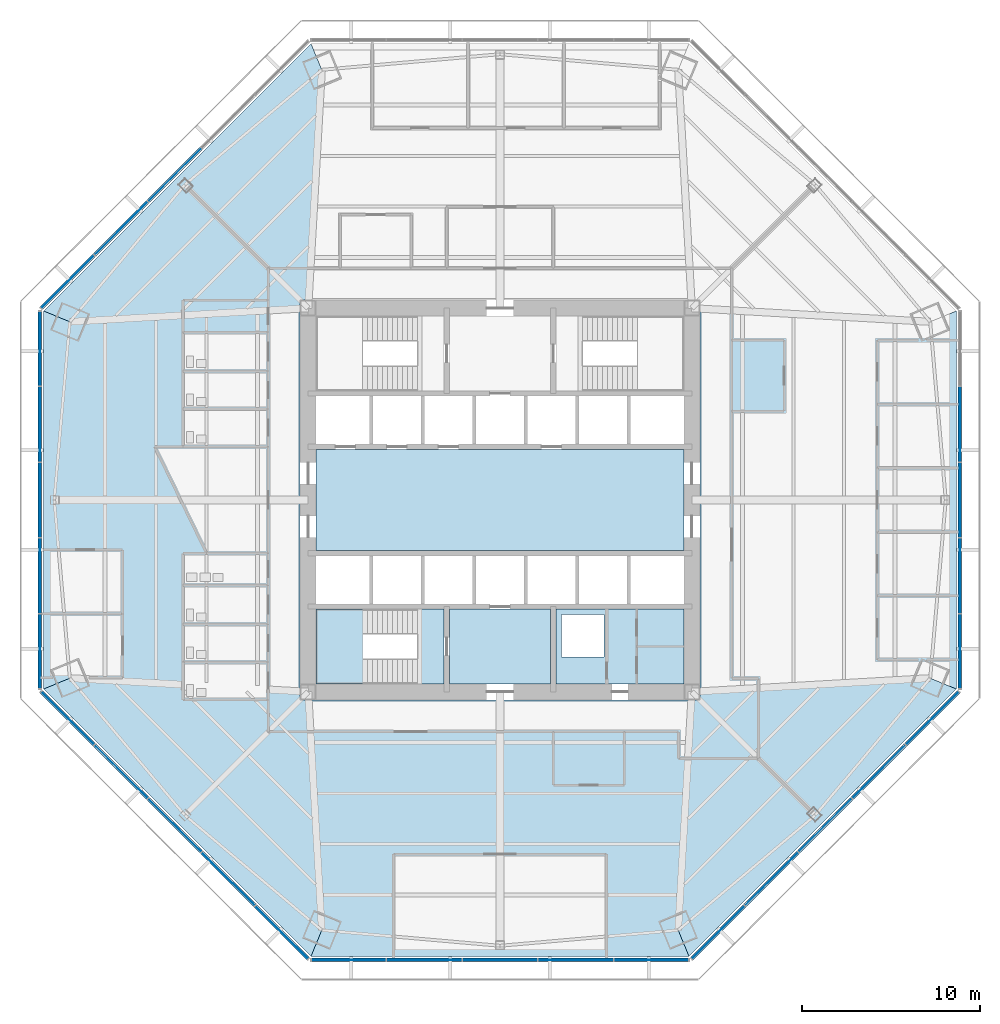
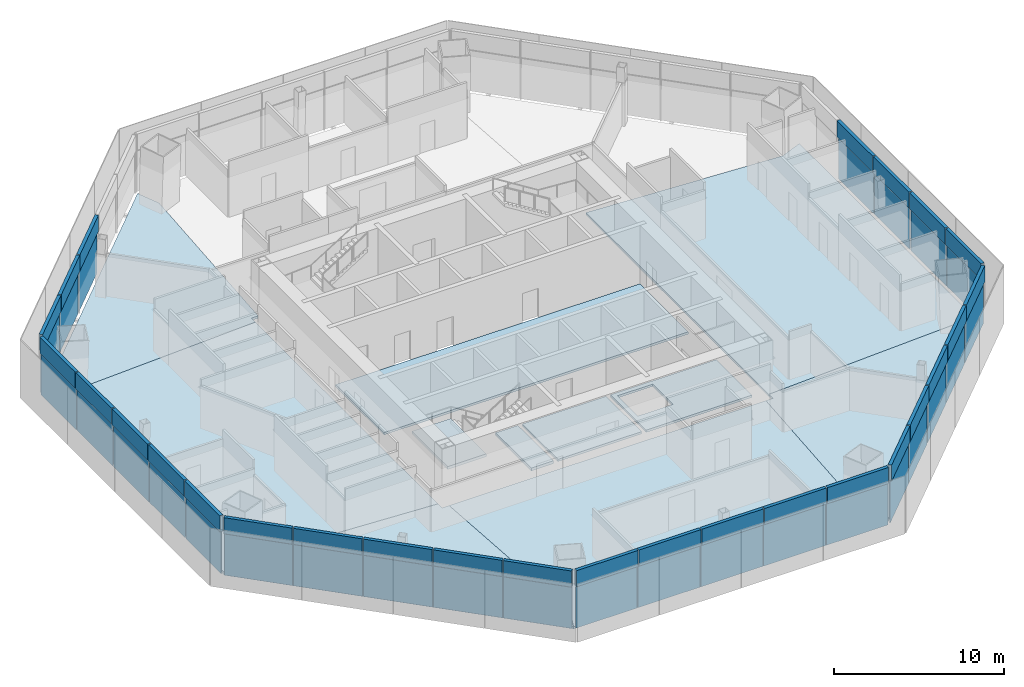
# One storey, part 7 of 15: 54 plates, 11 slabs, 7 elements without a shape of their own.
"""IFC4 building model written with IfcOpenShell, lengths in metres."""

import ifcopenshell
import ifcopenshell.guid

model = None  # the IFC model being written
_history = None  # IfcOwnerHistory: only IFC2X3 demands one
_inside = {}  # id of a spatial element -> (the spatial element, [elements in it])
_under = {}  # id of a project, library or spatial element -> (it, [spatial elements below it])
_declared = {}  # id of a project -> (the project, [libraries it declares])
_typed = {}  # id of a type object -> (the type object, [elements of that type])
_made_of = {}  # id of a material, layer set ... -> (it, [elements and type objects made of it])


def new_model(schema):
    """Start an empty IFC model of exactly this schema.

    Asked for "IFC4X3", IfcOpenShell would pick the latest addendum, in which some entities
    have other attributes; the version numbers below select the first issue.
    IFC2X3 requires an IfcOwnerHistory on every rooted entity: one is made here for all.
    """
    global model, _history
    if schema == "IFC4X3":
        model = ifcopenshell.file(schema_version=(4, 3, 0, 0))
    else:
        model = ifcopenshell.file(schema=schema)
    _inside.clear()
    _under.clear()
    _declared.clear()
    _typed.clear()
    _made_of.clear()
    _history = None
    if model.schema == "IFC2X3":
        org = make("IfcOrganization", Name="unknown")
        user = make(
            "IfcPersonAndOrganization",
            ThePerson=make("IfcPerson", FamilyName="unknown"),
            TheOrganization=org,
        )
        app = make(
            "IfcApplication",
            ApplicationDeveloper=org,
            Version="unknown",
            ApplicationFullName="unknown",
            ApplicationIdentifier="unknown",
        )
        _history = make(
            "IfcOwnerHistory",
            OwningUser=user,
            OwningApplication=app,
            ChangeAction="ADDED",
            CreationDate=0,
        )
    return model


def make(cls, **values):
    """One entity of the class cls with the attributes given. An attribute that is None is left unset."""
    return model.create_entity(
        cls, **{name: value for name, value in values.items() if value is not None}
    )


def rooted(cls, **values):
    """An entity with a GlobalId (a new one), such as an element, a storey or a relation."""
    return make(cls, GlobalId=ifcopenshell.guid.new(), OwnerHistory=_history, **values)


def si_unit(unit_type, name, prefix=None):
    """IfcSIUnit, for example si_unit("LENGTHUNIT", "METRE", prefix="MILLI")."""
    return make("IfcSIUnit", UnitType=unit_type, Prefix=prefix, Name=name)


def assignment(units):
    """IfcUnitAssignment: the units of a project."""
    return None if units is None else make("IfcUnitAssignment", Units=units)


def point(xyz):
    """IfcCartesianPoint."""
    return None if xyz is None else make("IfcCartesianPoint", Coordinates=xyz)


def direction(xyz):
    """IfcDirection."""
    return None if xyz is None else make("IfcDirection", DirectionRatios=xyz)


def frame(location, z_axis=None, x_axis=None):
    """IfcAxis2Placement3D, a coordinate frame: its origin and axes. An axis left out is left unset."""
    return make(
        "IfcAxis2Placement3D",
        Location=point(location),
        Axis=direction(z_axis),
        RefDirection=direction(x_axis),
    )


def frame_2d(location, x_axis=None):
    """IfcAxis2Placement2D, a coordinate frame in the plane: its origin and x axis."""
    return make(
        "IfcAxis2Placement2D", Location=point(location), RefDirection=direction(x_axis)
    )


def origin():
    """The frame at (0, 0, 0) with its axes left unset."""
    return frame((0.0, 0.0, 0.0))


def origin_2d():
    """The frame at (0, 0) in the plane with its x axis left unset."""
    return frame_2d((0.0, 0.0))


def place(relative_to, where):
    """IfcLocalPlacement: puts the frame where relative to a parent placement (None: the world)."""
    return make(
        "IfcLocalPlacement", PlacementRelTo=relative_to, RelativePlacement=where
    )


def context(
    kind, dimensions, precision=None, world=None, true_north=None, identifier=None
):
    """IfcGeometricRepresentationContext, for example the 3D "Model" context."""
    return make(
        "IfcGeometricRepresentationContext",
        ContextIdentifier=identifier,
        ContextType=kind,
        CoordinateSpaceDimension=dimensions,
        Precision=precision,
        WorldCoordinateSystem=world,
        TrueNorth=true_north,
    )


def subcontext(parent, identifier, kind, view, scale=None):
    """IfcGeometricRepresentationSubContext, for example "Body" below "Model"."""
    return make(
        "IfcGeometricRepresentationSubContext",
        ContextIdentifier=identifier,
        ContextType=kind,
        ParentContext=parent,
        TargetScale=scale,
        TargetView=view,
    )


def project(units=None, contexts=None):
    """IfcProject with its units and contexts."""
    return rooted(
        "IfcProject",
        Name="project",
        RepresentationContexts=contexts,
        UnitsInContext=assignment(units),
    )


def spatial(cls, under=None, at=None, **own):
    """A site, building, storey or space (cls), placed at a placement, below another one or the project."""
    s = rooted(cls, ObjectPlacement=at, **own)
    if under is not None:
        _under.setdefault(under.id(), (under, []))[1].append(s)
    return s


def polyline(points):
    """IfcPolyline through the points."""
    return make("IfcPolyline", Points=[point(p) for p in points])


def profile(cls, at=None, kind="AREA", **sizes):
    """A parametric profile (cls). Its sizes go by their IFC names, for example OverallWidth=200.0."""
    return make(cls, ProfileType=kind, Position=at, **sizes)


def rectangle(**sizes):
    """IfcRectangleProfileDef."""
    return profile("IfcRectangleProfileDef", **sizes)


def outline(outer, holes=None, kind="AREA"):
    """IfcArbitraryClosedProfileDef: a profile drawn as a closed curve; with holes, ...WithVoids."""
    if holes is None:
        return make("IfcArbitraryClosedProfileDef", ProfileType=kind, OuterCurve=outer)
    return make(
        "IfcArbitraryProfileDefWithVoids",
        ProfileType=kind,
        OuterCurve=outer,
        InnerCurves=holes,
    )


def extrude(swept, where, along, depth):
    """IfcExtrudedAreaSolid: the profile swept, set in the frame where, extruded along a direction by depth."""
    return make(
        "IfcExtrudedAreaSolid",
        SweptArea=swept,
        Position=where,
        ExtrudedDirection=direction(along),
        Depth=depth,
    )


def shape(context_of_items, identifier, shape_type, items):
    """IfcShapeRepresentation: the items that make up one representation, for example the "Body"."""
    return make(
        "IfcShapeRepresentation",
        ContextOfItems=context_of_items,
        RepresentationIdentifier=identifier,
        RepresentationType=shape_type,
        Items=items,
    )


def source(mapping_origin, context_of_items, identifier, shape_type, items):
    """IfcRepresentationMap: a shape defined once, which mapped items show again and again."""
    return make(
        "IfcRepresentationMap",
        MappingOrigin=mapping_origin,
        MappedRepresentation=shape(context_of_items, identifier, shape_type, items),
    )


def transform(
    local_origin,
    x_axis=None,
    y_axis=None,
    z_axis=None,
    scale=None,
    scale2=None,
    scale3=None,
    uniform=True,
):
    """IfcCartesianTransformationOperator3D, or its non-uniform kind. x_axis, y_axis, z_axis: its Axis1, 2, 3."""
    if uniform:
        return make(
            "IfcCartesianTransformationOperator3D",
            Axis1=direction(x_axis),
            Axis2=direction(y_axis),
            LocalOrigin=point(local_origin),
            Scale=scale,
            Axis3=direction(z_axis),
        )
    return make(
        "IfcCartesianTransformationOperator3DnonUniform",
        Axis1=direction(x_axis),
        Axis2=direction(y_axis),
        LocalOrigin=point(local_origin),
        Scale=scale,
        Axis3=direction(z_axis),
        Scale2=scale2,
        Scale3=scale3,
    )


def mapped(mapping_source, mapping_target):
    """IfcMappedItem: shows the shape of a source again, moved by a transform."""
    return make(
        "IfcMappedItem", MappingSource=mapping_source, MappingTarget=mapping_target
    )


def material(Name=None, Category=None):
    """IfcMaterial."""
    return make("IfcMaterial", Name=Name, Category=Category)


def layer(
    of_material, thickness, ventilated=None, Name=None, Category=None, Priority=None
):
    """IfcMaterialLayer: one layer of a wall or slab, of a material (None: an air gap)."""
    return make(
        "IfcMaterialLayer",
        Material=of_material,
        LayerThickness=thickness,
        IsVentilated=ventilated,
        Name=Name,
        Category=Category,
        Priority=Priority,
    )


def layer_set(layers, Name=None):
    """IfcMaterialLayerSet."""
    return make("IfcMaterialLayerSet", MaterialLayers=layers, LayerSetName=Name)


def made_of(thing, what):
    """Note that an element or type object is made of a material, layer set ...; save() writes the relation."""
    if what is not None:
        _made_of.setdefault(what.id(), (what, []))[1].append(thing)
    return thing


def type_object(cls, material=None, **own):
    """A type object (cls), such as IfcWallType, which elements share."""
    return made_of(rooted(cls, **own), material)


def type_shapes(of_type, sources):
    """Give a type object the sources (RepresentationMaps) that its elements show as mapped items."""
    of_type.RepresentationMaps = sources


def element(
    cls,
    number,
    at=None,
    inside=None,
    cuts=None,
    type_object=None,
    material=None,
    context=None,
    identifier="Body",
    shape_type=None,
    held_by="IfcProductDefinitionShape",
    body=None,
    shapes=None,
    **own,
):
    """One element of the class cls, such as IfcWall. Its Tag is "e" and its number.

    at: its placement. inside: the storey or other place that contains it. cuts: it is an
    opening in that element (IfcRelVoidsElement). A single representation is given by context,
    identifier, shape_type and body (its items); several are given by shapes. held_by: the class
    of the entity that holds the representations. save() writes the other relations.
    """
    e = rooted(cls, Tag="e%d" % number, ObjectPlacement=at, **own)
    if body is not None:
        shapes = [shape(context, identifier, shape_type, body)]
    if shapes is not None:
        e.Representation = make(held_by, Representations=shapes)
    if inside is not None:
        _inside.setdefault(inside.id(), (inside, []))[1].append(e)
    if cuts is not None:
        rooted(
            "IfcRelVoidsElement", RelatingBuildingElement=cuts, RelatedOpeningElement=e
        )
    if type_object is not None:
        _typed.setdefault(type_object.id(), (type_object, []))[1].append(e)
    return made_of(e, material)


def aggregate(whole, parts):
    """IfcRelAggregates: a whole, such as a stair, and the parts it consists of."""
    return rooted("IfcRelAggregates", RelatingObject=whole, RelatedObjects=parts)


def save(model, path):
    """Write the relations noted so far, then the file.

    IfcRelAggregates (storeys below a building ...), IfcRelContainedInSpatialStructure (elements
    in a storey), IfcRelDefinesByType, IfcRelAssociatesMaterial and IfcRelDeclares: one each for
    every whole, place, type object, material and project.
    """
    for whole, parts in _under.values():
        aggregate(whole, parts)
    for where, things in _inside.values():
        rooted(
            "IfcRelContainedInSpatialStructure",
            RelatedElements=things,
            RelatingStructure=where,
        )
    for kind, things in _typed.values():
        rooted("IfcRelDefinesByType", RelatedObjects=things, RelatingType=kind)
    for what, things in _made_of.values():
        rooted("IfcRelAssociatesMaterial", RelatedObjects=things, RelatingMaterial=what)
    for by, libraries in _declared.values():
        rooted("IfcRelDeclares", RelatingContext=by, RelatedDefinitions=libraries)
    model.write(path)


model = new_model("IFC4")

# Units and contexts
model_context = context("Model", 3, precision=1e-05, world=origin(), true_north=direction((0.0, 1.0)))
body_context = subcontext(model_context, "Body", "Model", "MODEL_VIEW")
ifc_project = project(units=[si_unit("LENGTHUNIT", "METRE"), si_unit("AREAUNIT", "SQUARE_METRE"), si_unit("VOLUMEUNIT", "CUBIC_METRE"), si_unit("PLANEANGLEUNIT", "RADIAN"), si_unit("MASSUNIT", "GRAM", prefix="KILO")], contexts=[model_context])

# Site, building, storey
site_placement = place(None, origin())
site = spatial("IfcSite", under=ifc_project, at=site_placement, CompositionType="ELEMENT")
building_placement = place(site_placement, origin())
building = spatial("IfcBuilding", under=site, at=building_placement, Name="Mashrafa Tower", CompositionType="ELEMENT")
storey_placement = place(building_placement, frame((0.0, 0.0, 75.0)))
storey = spatial("IfcBuildingStorey", under=building, at=storey_placement, Name="L16", CompositionType="ELEMENT", Elevation=75.0)

# Slabs
ifc_material_1 = material(Name="Concrete C35/45", Category="concrete")
ifc_layer_1 = layer(ifc_material_1, 0.1650390625)
ifc_layer_set_1 = layer_set([ifc_layer_1], Name="Floor slab 165")
slab_type_1 = type_object("IfcSlabType", Name="Floor slab 165", PredefinedType="FLOOR", material=ifc_layer_set_1)
slab_1_placement = place(storey_placement, frame((0.0, 0.0, -0.1650390625)))
element("IfcSlab", 1, at=slab_1_placement, inside=storey, type_object=slab_type_1, Name="Floor slab L16 east bay", PredefinedType="FLOOR", context=body_context, shape_type="SweptSolid", body=[
    extrude(outline(polyline([(25.693115234375, 10.642333984375), (25.693115234375, -10.642333984375), (25.693115234375, -10.642578125), (24.219482421875, -10.031982421875), (11.25, -10.774169921875), (11.25, 10.774169921875), (24.219482421875, 10.031982421875), (25.693115234375, 10.642578125), (25.693115234375, 10.642333984375)])), origin(), (0.0, 0.0, 1.0), 0.1650390625),
])
slab_2_placement = place(storey_placement, frame((0.0, 0.0, -0.1650390625)))
element("IfcSlab", 2, at=slab_2_placement, inside=storey, type_object=slab_type_1, Name="Floor slab L16 north-west bay", PredefinedType="FLOOR", context=body_context, shape_type="SweptSolid", body=[
    extrude(outline(polyline([(-10.642578125, 25.693115234375), (-10.031982421875, 24.219482421875), (-10.774169921875, 11.25), (-11.25, 11.25), (-11.25, 10.774169921875), (-24.219482421875, 10.031982421875), (-25.693115234375, 10.642578125), (-10.642578125, 25.693115234375)])), origin(), (0.0, 0.0, 1.0), 0.1650390625),
])
slab_3_placement = place(storey_placement, frame((0.0, 0.0, -0.1650390625)))
element("IfcSlab", 3, at=slab_3_placement, inside=storey, type_object=slab_type_1, Name="Floor slab L16 west bay", PredefinedType="FLOOR", context=body_context, shape_type="SweptSolid", body=[
    extrude(outline(polyline([(-25.693115234375, -10.642333984375), (-25.693115234375, 10.642333984375), (-25.693115234375, 10.642578125), (-24.219482421875, 10.031982421875), (-11.25, 10.774169921875), (-11.25, -10.774169921875), (-24.219482421875, -10.031982421875), (-25.693115234375, -10.642578125), (-25.693115234375, -10.642333984375)])), origin(), (0.0, 0.0, 1.0), 0.1650390625),
])
slab_4_placement = place(storey_placement, frame((0.0, 0.0, -0.1650390625)))
element("IfcSlab", 4, at=slab_4_placement, inside=storey, type_object=slab_type_1, Name="Floor slab L16 south-west bay", PredefinedType="FLOOR", context=body_context, shape_type="SweptSolid", body=[
    extrude(outline(polyline([(-25.693115234375, -10.642578125), (-24.219482421875, -10.031982421875), (-11.25, -10.774169921875), (-11.25, -11.25), (-10.774169921875, -11.25), (-10.031982421875, -24.219482421875), (-10.642578125, -25.693115234375), (-25.693115234375, -10.642578125)])), origin(), (0.0, 0.0, 1.0), 0.1650390625),
])
slab_5_placement = place(storey_placement, frame((0.0, 0.0, -0.1650390625)))
element("IfcSlab", 5, at=slab_5_placement, inside=storey, type_object=slab_type_1, Name="Floor slab L16 south bay", PredefinedType="FLOOR", context=body_context, shape_type="SweptSolid", body=[
    extrude(outline(polyline([(-10.642333984375, -25.693115234375), (-10.642578125, -25.693115234375), (-10.031982421875, -24.219482421875), (-10.774169921875, -11.25), (10.774169921875, -11.25), (10.031982421875, -24.219482421875), (10.642578125, -25.693115234375), (10.642333984375, -25.693115234375), (-10.642333984375, -25.693115234375)])), origin(), (0.0, 0.0, 1.0), 0.1650390625),
])
slab_6_placement = place(storey_placement, frame((0.0, 0.0, -0.1650390625)))
element("IfcSlab", 6, at=slab_6_placement, inside=storey, type_object=slab_type_1, Name="Floor slab L16 south-east bay", PredefinedType="FLOOR", context=body_context, shape_type="SweptSolid", body=[
    extrude(outline(polyline([(10.642578125, -25.693115234375), (10.031982421875, -24.219482421875), (10.774169921875, -11.25), (11.25, -11.25), (11.25, -10.774169921875), (24.219482421875, -10.031982421875), (25.693115234375, -10.642578125), (10.642578125, -25.693115234375)])), origin(), (0.0, 0.0, 1.0), 0.1650390625),
])
slab_7_placement = place(storey_placement, frame((0.0, 0.0, -0.1650390625)))
element("IfcSlab", 7, at=slab_7_placement, inside=storey, type_object=slab_type_1, Name="Core floor lift hall L16", PredefinedType="FLOOR", context=body_context, shape_type="SweptSolid", body=[
    extrude(outline(polyline([(-10.35009765625, 2.85009765625), (10.35009765625, 2.85009765625), (10.35009765625, -2.85009765625), (-10.35009765625, -2.85009765625), (-10.35009765625, 2.85009765625)])), origin(), (0.0, 0.0, 1.0), 0.1650390625),
])
slab_8_placement = place(storey_placement, frame((0.0, 0.0, -0.1650390625)))
element("IfcSlab", 8, at=slab_8_placement, inside=storey, type_object=slab_type_1, Name="Core floor riser and electrical band L16", PredefinedType="FLOOR", context=body_context, shape_type="SweptSolid", body=[
    extrude(outline(polyline([(10.35009765625, -6.14990234375), (10.35009765625, -10.35009765625), (3.14990234375, -10.35009765625), (3.14990234375, -6.14990234375), (10.35009765625, -6.14990234375)]), holes=[polyline([(3.449951171875, -8.85009765625), (5.85009765625, -8.85009765625), (5.85009765625, -6.449951171875), (3.449951171875, -6.449951171875), (3.449951171875, -8.85009765625)])]), origin(), (0.0, 0.0, 1.0), 0.1650390625),
])
slab_9_placement = place(storey_placement, frame((0.0, 0.0, -0.1650390625)))
element("IfcSlab", 9, at=slab_9_placement, inside=storey, type_object=slab_type_1, Name="Core floor fire-fighting lobby south L16", PredefinedType="FLOOR", context=body_context, shape_type="SweptSolid", body=[
    extrude(outline(polyline([(2.85009765625, -6.14990234375), (2.85009765625, -10.35009765625), (-2.85009765625, -10.35009765625), (-2.85009765625, -6.14990234375), (2.85009765625, -6.14990234375)])), origin(), (0.0, 0.0, 1.0), 0.1650390625),
])

# Stair, slabs
ifc_material_2 = material(Name="Exit stair 1400")
stair_type = type_object("IfcStairType", Name="Exit stair 1400", PredefinedType="HALF_TURN_STAIR", material=ifc_material_2)
stair_placement = place(storey_placement, origin())
stair = element("IfcStair", 10, at=stair_placement, inside=storey, type_object=stair_type, Name="Stair S3 L16", PredefinedType="HALF_TURN_STAIR")
ifc_material_3 = material(Name="Concrete C32/40", Category="concrete")
ifc_layer_2 = layer(ifc_material_3, 0.199951171875)
ifc_layer_set_2 = layer_set([ifc_layer_2], Name="Stair landing 200")
slab_type_2 = type_object("IfcSlabType", Name="Stair landing 200", PredefinedType="LANDING", material=ifc_layer_set_2)
slab_10_placement = place(storey_placement, frame((0.0, 0.0, -0.199951171875)))
slab_10 = element("IfcSlab", 11, at=slab_10_placement, type_object=slab_type_2, Name="S3 landing 1", PredefinedType="LANDING", context=body_context, shape_type="SweptSolid", body=[
    extrude(outline(polyline([(-4.659912109375, -10.35009765625), (-3.14990234375, -10.35009765625), (-3.14990234375, -6.14990234375), (-4.659912109375, -6.14990234375), (-4.659912109375, -10.35009765625)])), origin(), (0.0, 0.0, 1.0), 0.199951171875),
])
slab_11_placement = place(storey_placement, frame((0.0, 0.0, 1.89990234375)))
slab_11 = element("IfcSlab", 12, at=slab_11_placement, type_object=slab_type_2, Name="S3 landing 2", PredefinedType="LANDING", context=body_context, shape_type="SweptSolid", body=[
    extrude(outline(polyline([(-10.35009765625, -10.35009765625), (-7.719970703125, -10.35009765625), (-7.719970703125, -6.14990234375), (-10.35009765625, -6.14990234375), (-10.35009765625, -10.35009765625)])), origin(), (0.0, 0.0, 1.0), 0.2001953125),
])
aggregate(stair, [slab_10, slab_11])

# Curtain wall, plate
ifc_material_4 = material(Name="Unitised aluminium curtain wall", Category="aluminium")
curtain_wall_type = type_object("IfcCurtainWallType", Name="Office curtain wall, zone 1 CW-A 200 deep", PredefinedType="NOTDEFINED", material=ifc_material_4)
curtain_wall_1_placement = place(storey_placement, origin())
curtain_wall_1 = element("IfcCurtainWall", 13, at=curtain_wall_1_placement, inside=storey, type_object=curtain_wall_type, Name="Office curtain wall, zone 1 L16 east", PredefinedType="NOTDEFINED")
ifc_material_5 = material(Name="Insulated double glazing, low-e, neutral", Category="glass")
ifc_layer_3 = layer(ifc_material_5, 0.028076171875)
ifc_layer_set_3 = layer_set([ifc_layer_3], Name="Vision panel CW-A 28")
plate_type_1 = type_object("IfcPlateType", Name="Vision panel CW-A 28", PredefinedType="CURTAIN_PANEL", material=ifc_layer_set_3)
shared_shape_1 = source(origin(), body_context, "Body", "SweptSolid", [
    extrude(rectangle(XDim=4.172119140625, YDim=0.028076171875, at=origin_2d()), origin(), (0.0, 0.0, 1.0), 2.9599609375),
])
plate_1_placement = place(storey_placement, frame((25.89306640625, -8.522705078125, 0.0), z_axis=(0.0, 0.0, 1.0), x_axis=(0.0, 1.0, 0.0)))
plate_1 = element("IfcPlate", 14, at=plate_1_placement, type_object=plate_type_1, Name="CW-A vision panel 1", PredefinedType="CURTAIN_PANEL", context=body_context, shape_type="MappedRepresentation", body=[
    mapped(shared_shape_1, transform((0.0, 0.0, 0.0))),
])

curtain_wall_2_placement = place(storey_placement, origin())
curtain_wall_2 = element("IfcCurtainWall", 15, at=curtain_wall_2_placement, inside=storey, type_object=curtain_wall_type, Name="Office curtain wall, zone 1 L16 north-west", PredefinedType="NOTDEFINED")
plate_2_placement = place(storey_placement, frame((-24.335693359375, 12.28271484375, 0.0), z_axis=(0.0, 0.0, 1.0), x_axis=(-0.707106781187, -0.707106781187, 0.0)))
plate_2 = element("IfcPlate", 16, at=plate_2_placement, type_object=plate_type_1, Name="CW-A vision panel 5", PredefinedType="CURTAIN_PANEL", context=body_context, shape_type="MappedRepresentation", body=[
    mapped(shared_shape_1, transform((0.0, 0.0, 0.0))),
])

# Curtain wall, plates
curtain_wall_3_placement = place(storey_placement, origin())
curtain_wall_3 = element("IfcCurtainWall", 17, at=curtain_wall_3_placement, inside=storey, type_object=curtain_wall_type, Name="Office curtain wall, zone 1 L16 west", PredefinedType="NOTDEFINED")
plate_3_placement = place(storey_placement, frame((-25.89306640625, 8.522705078125, 0.0), z_axis=(0.0, 0.0, 1.0), x_axis=(0.0, -1.0, 0.0)))
plate_3 = element("IfcPlate", 18, at=plate_3_placement, type_object=plate_type_1, Name="CW-A vision panel 1", PredefinedType="CURTAIN_PANEL", context=body_context, shape_type="MappedRepresentation", body=[
    mapped(shared_shape_1, transform((0.0, 0.0, 0.0))),
])
plate_4_placement = place(storey_placement, frame((-25.89306640625, -8.522705078125, 0.0), z_axis=(0.0, 0.0, 1.0), x_axis=(0.0, -1.0, 0.0)))
plate_4 = element("IfcPlate", 19, at=plate_4_placement, type_object=plate_type_1, Name="CW-A vision panel 5", PredefinedType="CURTAIN_PANEL", context=body_context, shape_type="MappedRepresentation", body=[
    mapped(shared_shape_1, transform((0.0, 0.0, 0.0))),
])

curtain_wall_4_placement = place(storey_placement, origin())
curtain_wall_4 = element("IfcCurtainWall", 20, at=curtain_wall_4_placement, inside=storey, type_object=curtain_wall_type, Name="Office curtain wall, zone 1 L16 south-west", PredefinedType="NOTDEFINED")
plate_5_placement = place(storey_placement, frame((-24.335693359375, -12.28271484375, 0.0), z_axis=(0.0, 0.0, 1.0), x_axis=(0.707106781187, -0.707106781187, 0.0)))
plate_5 = element("IfcPlate", 21, at=plate_5_placement, type_object=plate_type_1, Name="CW-A vision panel 1", PredefinedType="CURTAIN_PANEL", context=body_context, shape_type="MappedRepresentation", body=[
    mapped(shared_shape_1, transform((0.0, 0.0, 0.0))),
])
plate_6_placement = place(storey_placement, frame((-12.28271484375, -24.335693359375, 0.0), z_axis=(0.0, 0.0, 1.0), x_axis=(0.707106781187, -0.707106781187, 0.0)))
plate_6 = element("IfcPlate", 22, at=plate_6_placement, type_object=plate_type_1, Name="CW-A vision panel 5", PredefinedType="CURTAIN_PANEL", context=body_context, shape_type="MappedRepresentation", body=[
    mapped(shared_shape_1, transform((0.0, 0.0, 0.0))),
])

curtain_wall_5_placement = place(storey_placement, origin())
curtain_wall_5 = element("IfcCurtainWall", 23, at=curtain_wall_5_placement, inside=storey, type_object=curtain_wall_type, Name="Office curtain wall, zone 1 L16 south", PredefinedType="NOTDEFINED")
plate_7_placement = place(storey_placement, frame((-8.522705078125, -25.89306640625, 0.0), z_axis=(0.0, 0.0, 1.0), x_axis=(1.0, 0.0, 0.0)))
plate_7 = element("IfcPlate", 24, at=plate_7_placement, type_object=plate_type_1, Name="CW-A vision panel 1", PredefinedType="CURTAIN_PANEL", context=body_context, shape_type="MappedRepresentation", body=[
    mapped(shared_shape_1, transform((0.0, 0.0, 0.0))),
])
plate_8_placement = place(storey_placement, frame((8.522705078125, -25.89306640625, 0.0), z_axis=(0.0, 0.0, 1.0), x_axis=(1.0, 0.0, 0.0)))
plate_8 = element("IfcPlate", 25, at=plate_8_placement, type_object=plate_type_1, Name="CW-A vision panel 5", PredefinedType="CURTAIN_PANEL", context=body_context, shape_type="MappedRepresentation", body=[
    mapped(shared_shape_1, transform((0.0, 0.0, 0.0))),
])

curtain_wall_6_placement = place(storey_placement, origin())
curtain_wall_6 = element("IfcCurtainWall", 26, at=curtain_wall_6_placement, inside=storey, type_object=curtain_wall_type, Name="Office curtain wall, zone 1 L16 south-east", PredefinedType="NOTDEFINED")
plate_9_placement = place(storey_placement, frame((12.28271484375, -24.335693359375, 0.0), z_axis=(0.0, 0.0, 1.0), x_axis=(0.707106781187, 0.707106781187, 0.0)))
plate_9 = element("IfcPlate", 27, at=plate_9_placement, type_object=plate_type_1, Name="CW-A vision panel 1", PredefinedType="CURTAIN_PANEL", context=body_context, shape_type="MappedRepresentation", body=[
    mapped(shared_shape_1, transform((0.0, 0.0, 0.0))),
])
plate_10_placement = place(storey_placement, frame((24.335693359375, -12.28271484375, 0.0), z_axis=(0.0, 0.0, 1.0), x_axis=(0.707106781187, 0.707106781187, 0.0)))
plate_10 = element("IfcPlate", 28, at=plate_10_placement, type_object=plate_type_1, Name="CW-A vision panel 5", PredefinedType="CURTAIN_PANEL", context=body_context, shape_type="MappedRepresentation", body=[
    mapped(shared_shape_1, transform((0.0, 0.0, 0.0))),
])

# Plate
ifc_material_6 = material(Name="Insulated aluminium spandrel panel", Category="aluminium")
ifc_layer_4 = layer(ifc_material_6, 0.219970703125)
ifc_layer_set_4 = layer_set([ifc_layer_4], Name="Spandrel panel CW-A 220")
plate_type_2 = type_object("IfcPlateType", Name="Spandrel panel CW-A 220", PredefinedType="CURTAIN_PANEL", material=ifc_layer_set_4)
shared_shape_2 = source(origin(), body_context, "Body", "SweptSolid", [
    extrude(rectangle(XDim=4.172119140625, YDim=0.219970703125, at=origin_2d()), origin(), (0.0, 0.0, 1.0), 1.159912109375),
])
plate_11_placement = place(storey_placement, frame((25.89306640625, -8.522705078125, 3.0400390625), z_axis=(0.0, 0.0, 1.0), x_axis=(0.0, 1.0, 0.0)))
plate_11 = element("IfcPlate", 29, at=plate_11_placement, type_object=plate_type_2, Name="CW-A spandrel panel 1", PredefinedType="CURTAIN_PANEL", context=body_context, shape_type="MappedRepresentation", body=[
    mapped(shared_shape_2, transform((0.0, 0.0, 0.0))),
])

plate_12_placement = place(storey_placement, frame((-24.335693359375, 12.28271484375, 3.0400390625), z_axis=(0.0, 0.0, 1.0), x_axis=(-0.707106781187, -0.707106781187, 0.0)))
plate_12 = element("IfcPlate", 30, at=plate_12_placement, type_object=plate_type_2, Name="CW-A spandrel panel 5", PredefinedType="CURTAIN_PANEL", context=body_context, shape_type="MappedRepresentation", body=[
    mapped(shared_shape_2, transform((0.0, 0.0, 0.0))),
])

plate_13_placement = place(storey_placement, frame((-25.89306640625, 8.522705078125, 3.0400390625), z_axis=(0.0, 0.0, 1.0), x_axis=(0.0, -1.0, 0.0)))
plate_13 = element("IfcPlate", 31, at=plate_13_placement, type_object=plate_type_2, Name="CW-A spandrel panel 1", PredefinedType="CURTAIN_PANEL", context=body_context, shape_type="MappedRepresentation", body=[
    mapped(shared_shape_2, transform((0.0, 0.0, 0.0))),
])

plate_14_placement = place(storey_placement, frame((-25.89306640625, -8.522705078125, 3.0400390625), z_axis=(0.0, 0.0, 1.0), x_axis=(0.0, -1.0, 0.0)))
plate_14 = element("IfcPlate", 32, at=plate_14_placement, type_object=plate_type_2, Name="CW-A spandrel panel 5", PredefinedType="CURTAIN_PANEL", context=body_context, shape_type="MappedRepresentation", body=[
    mapped(shared_shape_2, transform((0.0, 0.0, 0.0))),
])

plate_15_placement = place(storey_placement, frame((-24.335693359375, -12.28271484375, 3.0400390625), z_axis=(0.0, 0.0, 1.0), x_axis=(0.707106781187, -0.707106781187, 0.0)))
plate_15 = element("IfcPlate", 33, at=plate_15_placement, type_object=plate_type_2, Name="CW-A spandrel panel 1", PredefinedType="CURTAIN_PANEL", context=body_context, shape_type="MappedRepresentation", body=[
    mapped(shared_shape_2, transform((0.0, 0.0, 0.0))),
])

plate_16_placement = place(storey_placement, frame((-12.28271484375, -24.335693359375, 3.0400390625), z_axis=(0.0, 0.0, 1.0), x_axis=(0.707106781187, -0.707106781187, 0.0)))
plate_16 = element("IfcPlate", 34, at=plate_16_placement, type_object=plate_type_2, Name="CW-A spandrel panel 5", PredefinedType="CURTAIN_PANEL", context=body_context, shape_type="MappedRepresentation", body=[
    mapped(shared_shape_2, transform((0.0, 0.0, 0.0))),
])

plate_17_placement = place(storey_placement, frame((-8.522705078125, -25.89306640625, 3.0400390625), z_axis=(0.0, 0.0, 1.0), x_axis=(1.0, 0.0, 0.0)))
plate_17 = element("IfcPlate", 35, at=plate_17_placement, type_object=plate_type_2, Name="CW-A spandrel panel 1", PredefinedType="CURTAIN_PANEL", context=body_context, shape_type="MappedRepresentation", body=[
    mapped(shared_shape_2, transform((0.0, 0.0, 0.0))),
])

plate_18_placement = place(storey_placement, frame((8.522705078125, -25.89306640625, 3.0400390625), z_axis=(0.0, 0.0, 1.0), x_axis=(1.0, 0.0, 0.0)))
plate_18 = element("IfcPlate", 36, at=plate_18_placement, type_object=plate_type_2, Name="CW-A spandrel panel 5", PredefinedType="CURTAIN_PANEL", context=body_context, shape_type="MappedRepresentation", body=[
    mapped(shared_shape_2, transform((0.0, 0.0, 0.0))),
])

plate_19_placement = place(storey_placement, frame((12.28271484375, -24.335693359375, 3.0400390625), z_axis=(0.0, 0.0, 1.0), x_axis=(0.707106781187, 0.707106781187, 0.0)))
plate_19 = element("IfcPlate", 37, at=plate_19_placement, type_object=plate_type_2, Name="CW-A spandrel panel 1", PredefinedType="CURTAIN_PANEL", context=body_context, shape_type="MappedRepresentation", body=[
    mapped(shared_shape_2, transform((0.0, 0.0, 0.0))),
])

plate_20_placement = place(storey_placement, frame((24.335693359375, -12.28271484375, 3.0400390625), z_axis=(0.0, 0.0, 1.0), x_axis=(0.707106781187, 0.707106781187, 0.0)))
plate_20 = element("IfcPlate", 38, at=plate_20_placement, type_object=plate_type_2, Name="CW-A spandrel panel 5", PredefinedType="CURTAIN_PANEL", context=body_context, shape_type="MappedRepresentation", body=[
    mapped(shared_shape_2, transform((0.0, 0.0, 0.0))),
])

shared_shape_3 = source(origin(), body_context, "Body", "SweptSolid", [
    extrude(rectangle(XDim=4.20458984375, YDim=0.028076171875, at=origin_2d()), origin(), (0.0, 0.0, 1.0), 2.9599609375),
])
type_shapes(plate_type_1, [shared_shape_1, shared_shape_3])
plate_21_placement = place(storey_placement, frame((25.89306640625, -4.26953125, 0.0), z_axis=(0.0, 0.0, 1.0), x_axis=(0.0, 1.0, 0.0)))
plate_21 = element("IfcPlate", 39, at=plate_21_placement, type_object=plate_type_1, Name="CW-A vision panel 2", PredefinedType="CURTAIN_PANEL", context=body_context, shape_type="MappedRepresentation", body=[
    mapped(shared_shape_3, transform((0.0, 0.0, 0.0))),
])

plate_22_placement = place(storey_placement, frame((25.89306640625, 0.0, 0.0), z_axis=(0.0, 0.0, 1.0), x_axis=(0.0, 1.0, 0.0)))
plate_22 = element("IfcPlate", 40, at=plate_22_placement, type_object=plate_type_1, Name="CW-A vision panel 3", PredefinedType="CURTAIN_PANEL", context=body_context, shape_type="MappedRepresentation", body=[
    mapped(shared_shape_3, transform((0.0, 0.0, 0.0))),
])

plate_23_placement = place(storey_placement, frame((25.89306640625, 4.26953125, 0.0), z_axis=(0.0, 0.0, 1.0), x_axis=(0.0, 1.0, 0.0)))
plate_23 = element("IfcPlate", 41, at=plate_23_placement, type_object=plate_type_1, Name="CW-A vision panel 4", PredefinedType="CURTAIN_PANEL", context=body_context, shape_type="MappedRepresentation", body=[
    mapped(shared_shape_3, transform((0.0, 0.0, 0.0))),
])

plate_24_placement = place(storey_placement, frame((-18.30908203125, 18.30908203125, 0.0), z_axis=(0.0, 0.0, 1.0), x_axis=(-0.707106781187, -0.707106781187, 0.0)))
plate_24 = element("IfcPlate", 42, at=plate_24_placement, type_object=plate_type_1, Name="CW-A vision panel 3", PredefinedType="CURTAIN_PANEL", context=body_context, shape_type="MappedRepresentation", body=[
    mapped(shared_shape_3, transform((0.0, 0.0, 0.0))),
])

plate_25_placement = place(storey_placement, frame((-21.328125, 15.2900390625, 0.0), z_axis=(0.0, 0.0, 1.0), x_axis=(-0.707106781187, -0.707106781187, 0.0)))
plate_25 = element("IfcPlate", 43, at=plate_25_placement, type_object=plate_type_1, Name="CW-A vision panel 4", PredefinedType="CURTAIN_PANEL", context=body_context, shape_type="MappedRepresentation", body=[
    mapped(shared_shape_3, transform((0.0, 0.0, 0.0))),
])

plate_26_placement = place(storey_placement, frame((-25.89306640625, 4.26953125, 0.0), z_axis=(0.0, 0.0, 1.0), x_axis=(0.0, -1.0, 0.0)))
plate_26 = element("IfcPlate", 44, at=plate_26_placement, type_object=plate_type_1, Name="CW-A vision panel 2", PredefinedType="CURTAIN_PANEL", context=body_context, shape_type="MappedRepresentation", body=[
    mapped(shared_shape_3, transform((0.0, 0.0, 0.0))),
])

plate_27_placement = place(storey_placement, frame((-25.89306640625, 0.0, 0.0), z_axis=(0.0, 0.0, 1.0), x_axis=(0.0, -1.0, 0.0)))
plate_27 = element("IfcPlate", 45, at=plate_27_placement, type_object=plate_type_1, Name="CW-A vision panel 3", PredefinedType="CURTAIN_PANEL", context=body_context, shape_type="MappedRepresentation", body=[
    mapped(shared_shape_3, transform((0.0, 0.0, 0.0))),
])

plate_28_placement = place(storey_placement, frame((-25.89306640625, -4.26953125, 0.0), z_axis=(0.0, 0.0, 1.0), x_axis=(0.0, -1.0, 0.0)))
plate_28 = element("IfcPlate", 46, at=plate_28_placement, type_object=plate_type_1, Name="CW-A vision panel 4", PredefinedType="CURTAIN_PANEL", context=body_context, shape_type="MappedRepresentation", body=[
    mapped(shared_shape_3, transform((0.0, 0.0, 0.0))),
])

plate_29_placement = place(storey_placement, frame((-21.328125, -15.2900390625, 0.0), z_axis=(0.0, 0.0, 1.0), x_axis=(0.707106781187, -0.707106781187, 0.0)))
plate_29 = element("IfcPlate", 47, at=plate_29_placement, type_object=plate_type_1, Name="CW-A vision panel 2", PredefinedType="CURTAIN_PANEL", context=body_context, shape_type="MappedRepresentation", body=[
    mapped(shared_shape_3, transform((0.0, 0.0, 0.0))),
])

plate_30_placement = place(storey_placement, frame((-18.30908203125, -18.30908203125, 0.0), z_axis=(0.0, 0.0, 1.0), x_axis=(0.707106781187, -0.707106781187, 0.0)))
plate_30 = element("IfcPlate", 48, at=plate_30_placement, type_object=plate_type_1, Name="CW-A vision panel 3", PredefinedType="CURTAIN_PANEL", context=body_context, shape_type="MappedRepresentation", body=[
    mapped(shared_shape_3, transform((0.0, 0.0, 0.0))),
])

plate_31_placement = place(storey_placement, frame((-15.2900390625, -21.328125, 0.0), z_axis=(0.0, 0.0, 1.0), x_axis=(0.707106781187, -0.707106781187, 0.0)))
plate_31 = element("IfcPlate", 49, at=plate_31_placement, type_object=plate_type_1, Name="CW-A vision panel 4", PredefinedType="CURTAIN_PANEL", context=body_context, shape_type="MappedRepresentation", body=[
    mapped(shared_shape_3, transform((0.0, 0.0, 0.0))),
])

plate_32_placement = place(storey_placement, frame((-4.26953125, -25.89306640625, 0.0), z_axis=(0.0, 0.0, 1.0), x_axis=(1.0, 0.0, 0.0)))
plate_32 = element("IfcPlate", 50, at=plate_32_placement, type_object=plate_type_1, Name="CW-A vision panel 2", PredefinedType="CURTAIN_PANEL", context=body_context, shape_type="MappedRepresentation", body=[
    mapped(shared_shape_3, transform((0.0, 0.0, 0.0))),
])

plate_33_placement = place(storey_placement, frame((0.0, -25.89306640625, 0.0), z_axis=(0.0, 0.0, 1.0), x_axis=(1.0, 0.0, 0.0)))
plate_33 = element("IfcPlate", 51, at=plate_33_placement, type_object=plate_type_1, Name="CW-A vision panel 3", PredefinedType="CURTAIN_PANEL", context=body_context, shape_type="MappedRepresentation", body=[
    mapped(shared_shape_3, transform((0.0, 0.0, 0.0))),
])

plate_34_placement = place(storey_placement, frame((4.26953125, -25.89306640625, 0.0), z_axis=(0.0, 0.0, 1.0), x_axis=(1.0, 0.0, 0.0)))
plate_34 = element("IfcPlate", 52, at=plate_34_placement, type_object=plate_type_1, Name="CW-A vision panel 4", PredefinedType="CURTAIN_PANEL", context=body_context, shape_type="MappedRepresentation", body=[
    mapped(shared_shape_3, transform((0.0, 0.0, 0.0))),
])

plate_35_placement = place(storey_placement, frame((15.2900390625, -21.328125, 0.0), z_axis=(0.0, 0.0, 1.0), x_axis=(0.707106781187, 0.707106781187, 0.0)))
plate_35 = element("IfcPlate", 53, at=plate_35_placement, type_object=plate_type_1, Name="CW-A vision panel 2", PredefinedType="CURTAIN_PANEL", context=body_context, shape_type="MappedRepresentation", body=[
    mapped(shared_shape_3, transform((0.0, 0.0, 0.0))),
])

plate_36_placement = place(storey_placement, frame((18.30908203125, -18.30908203125, 0.0), z_axis=(0.0, 0.0, 1.0), x_axis=(0.707106781187, 0.707106781187, 0.0)))
plate_36 = element("IfcPlate", 54, at=plate_36_placement, type_object=plate_type_1, Name="CW-A vision panel 3", PredefinedType="CURTAIN_PANEL", context=body_context, shape_type="MappedRepresentation", body=[
    mapped(shared_shape_3, transform((0.0, 0.0, 0.0))),
])

plate_37_placement = place(storey_placement, frame((21.328125, -15.2900390625, 0.0), z_axis=(0.0, 0.0, 1.0), x_axis=(0.707106781187, 0.707106781187, 0.0)))
plate_37 = element("IfcPlate", 55, at=plate_37_placement, type_object=plate_type_1, Name="CW-A vision panel 4", PredefinedType="CURTAIN_PANEL", context=body_context, shape_type="MappedRepresentation", body=[
    mapped(shared_shape_3, transform((0.0, 0.0, 0.0))),
])

shared_shape_4 = source(origin(), body_context, "Body", "SweptSolid", [
    extrude(rectangle(XDim=4.20458984375, YDim=0.219970703125, at=origin_2d()), origin(), (0.0, 0.0, 1.0), 1.159912109375),
])
type_shapes(plate_type_2, [shared_shape_2, shared_shape_4])
plate_38_placement = place(storey_placement, frame((25.89306640625, -4.26953125, 3.0400390625), z_axis=(0.0, 0.0, 1.0), x_axis=(0.0, 1.0, 0.0)))
plate_38 = element("IfcPlate", 56, at=plate_38_placement, type_object=plate_type_2, Name="CW-A spandrel panel 2", PredefinedType="CURTAIN_PANEL", context=body_context, shape_type="MappedRepresentation", body=[
    mapped(shared_shape_4, transform((0.0, 0.0, 0.0))),
])

plate_39_placement = place(storey_placement, frame((25.89306640625, 0.0, 3.0400390625), z_axis=(0.0, 0.0, 1.0), x_axis=(0.0, 1.0, 0.0)))
plate_39 = element("IfcPlate", 57, at=plate_39_placement, type_object=plate_type_2, Name="CW-A spandrel panel 3", PredefinedType="CURTAIN_PANEL", context=body_context, shape_type="MappedRepresentation", body=[
    mapped(shared_shape_4, transform((0.0, 0.0, 0.0))),
])

plate_40_placement = place(storey_placement, frame((25.89306640625, 4.26953125, 3.0400390625), z_axis=(0.0, 0.0, 1.0), x_axis=(0.0, 1.0, 0.0)))
plate_40 = element("IfcPlate", 58, at=plate_40_placement, type_object=plate_type_2, Name="CW-A spandrel panel 4", PredefinedType="CURTAIN_PANEL", context=body_context, shape_type="MappedRepresentation", body=[
    mapped(shared_shape_4, transform((0.0, 0.0, 0.0))),
])

aggregate(curtain_wall_1, [plate_1, plate_11, plate_21, plate_38, plate_22, plate_39, plate_23, plate_40])

plate_41_placement = place(storey_placement, frame((-18.30908203125, 18.30908203125, 3.0400390625), z_axis=(0.0, 0.0, 1.0), x_axis=(-0.707106781187, -0.707106781187, 0.0)))
plate_41 = element("IfcPlate", 59, at=plate_41_placement, type_object=plate_type_2, Name="CW-A spandrel panel 3", PredefinedType="CURTAIN_PANEL", context=body_context, shape_type="MappedRepresentation", body=[
    mapped(shared_shape_4, transform((0.0, 0.0, 0.0))),
])

plate_42_placement = place(storey_placement, frame((-21.328125, 15.2900390625, 3.0400390625), z_axis=(0.0, 0.0, 1.0), x_axis=(-0.707106781187, -0.707106781187, 0.0)))
plate_42 = element("IfcPlate", 60, at=plate_42_placement, type_object=plate_type_2, Name="CW-A spandrel panel 4", PredefinedType="CURTAIN_PANEL", context=body_context, shape_type="MappedRepresentation", body=[
    mapped(shared_shape_4, transform((0.0, 0.0, 0.0))),
])

aggregate(curtain_wall_2, [plate_24, plate_41, plate_25, plate_42, plate_2, plate_12])

plate_43_placement = place(storey_placement, frame((-25.89306640625, 4.26953125, 3.0400390625), z_axis=(0.0, 0.0, 1.0), x_axis=(0.0, -1.0, 0.0)))
plate_43 = element("IfcPlate", 61, at=plate_43_placement, type_object=plate_type_2, Name="CW-A spandrel panel 2", PredefinedType="CURTAIN_PANEL", context=body_context, shape_type="MappedRepresentation", body=[
    mapped(shared_shape_4, transform((0.0, 0.0, 0.0))),
])

plate_44_placement = place(storey_placement, frame((-25.89306640625, 0.0, 3.0400390625), z_axis=(0.0, 0.0, 1.0), x_axis=(0.0, -1.0, 0.0)))
plate_44 = element("IfcPlate", 62, at=plate_44_placement, type_object=plate_type_2, Name="CW-A spandrel panel 3", PredefinedType="CURTAIN_PANEL", context=body_context, shape_type="MappedRepresentation", body=[
    mapped(shared_shape_4, transform((0.0, 0.0, 0.0))),
])

plate_45_placement = place(storey_placement, frame((-25.89306640625, -4.26953125, 3.0400390625), z_axis=(0.0, 0.0, 1.0), x_axis=(0.0, -1.0, 0.0)))
plate_45 = element("IfcPlate", 63, at=plate_45_placement, type_object=plate_type_2, Name="CW-A spandrel panel 4", PredefinedType="CURTAIN_PANEL", context=body_context, shape_type="MappedRepresentation", body=[
    mapped(shared_shape_4, transform((0.0, 0.0, 0.0))),
])

aggregate(curtain_wall_3, [plate_3, plate_13, plate_26, plate_43, plate_27, plate_44, plate_28, plate_45, plate_4, plate_14])

plate_46_placement = place(storey_placement, frame((-21.328125, -15.2900390625, 3.0400390625), z_axis=(0.0, 0.0, 1.0), x_axis=(0.707106781187, -0.707106781187, 0.0)))
plate_46 = element("IfcPlate", 64, at=plate_46_placement, type_object=plate_type_2, Name="CW-A spandrel panel 2", PredefinedType="CURTAIN_PANEL", context=body_context, shape_type="MappedRepresentation", body=[
    mapped(shared_shape_4, transform((0.0, 0.0, 0.0))),
])

plate_47_placement = place(storey_placement, frame((-18.30908203125, -18.30908203125, 3.0400390625), z_axis=(0.0, 0.0, 1.0), x_axis=(0.707106781187, -0.707106781187, 0.0)))
plate_47 = element("IfcPlate", 65, at=plate_47_placement, type_object=plate_type_2, Name="CW-A spandrel panel 3", PredefinedType="CURTAIN_PANEL", context=body_context, shape_type="MappedRepresentation", body=[
    mapped(shared_shape_4, transform((0.0, 0.0, 0.0))),
])

plate_48_placement = place(storey_placement, frame((-15.2900390625, -21.328125, 3.0400390625), z_axis=(0.0, 0.0, 1.0), x_axis=(0.707106781187, -0.707106781187, 0.0)))
plate_48 = element("IfcPlate", 66, at=plate_48_placement, type_object=plate_type_2, Name="CW-A spandrel panel 4", PredefinedType="CURTAIN_PANEL", context=body_context, shape_type="MappedRepresentation", body=[
    mapped(shared_shape_4, transform((0.0, 0.0, 0.0))),
])

aggregate(curtain_wall_4, [plate_5, plate_15, plate_29, plate_46, plate_30, plate_47, plate_31, plate_48, plate_6, plate_16])

plate_49_placement = place(storey_placement, frame((-4.26953125, -25.89306640625, 3.0400390625), z_axis=(0.0, 0.0, 1.0), x_axis=(1.0, 0.0, 0.0)))
plate_49 = element("IfcPlate", 67, at=plate_49_placement, type_object=plate_type_2, Name="CW-A spandrel panel 2", PredefinedType="CURTAIN_PANEL", context=body_context, shape_type="MappedRepresentation", body=[
    mapped(shared_shape_4, transform((0.0, 0.0, 0.0))),
])

plate_50_placement = place(storey_placement, frame((0.0, -25.89306640625, 3.0400390625), z_axis=(0.0, 0.0, 1.0), x_axis=(1.0, 0.0, 0.0)))
plate_50 = element("IfcPlate", 68, at=plate_50_placement, type_object=plate_type_2, Name="CW-A spandrel panel 3", PredefinedType="CURTAIN_PANEL", context=body_context, shape_type="MappedRepresentation", body=[
    mapped(shared_shape_4, transform((0.0, 0.0, 0.0))),
])

plate_51_placement = place(storey_placement, frame((4.26953125, -25.89306640625, 3.0400390625), z_axis=(0.0, 0.0, 1.0), x_axis=(1.0, 0.0, 0.0)))
plate_51 = element("IfcPlate", 69, at=plate_51_placement, type_object=plate_type_2, Name="CW-A spandrel panel 4", PredefinedType="CURTAIN_PANEL", context=body_context, shape_type="MappedRepresentation", body=[
    mapped(shared_shape_4, transform((0.0, 0.0, 0.0))),
])

aggregate(curtain_wall_5, [plate_7, plate_17, plate_32, plate_49, plate_33, plate_50, plate_34, plate_51, plate_8, plate_18])

plate_52_placement = place(storey_placement, frame((15.2900390625, -21.328125, 3.0400390625), z_axis=(0.0, 0.0, 1.0), x_axis=(0.707106781187, 0.707106781187, 0.0)))
plate_52 = element("IfcPlate", 70, at=plate_52_placement, type_object=plate_type_2, Name="CW-A spandrel panel 2", PredefinedType="CURTAIN_PANEL", context=body_context, shape_type="MappedRepresentation", body=[
    mapped(shared_shape_4, transform((0.0, 0.0, 0.0))),
])

plate_53_placement = place(storey_placement, frame((18.30908203125, -18.30908203125, 3.0400390625), z_axis=(0.0, 0.0, 1.0), x_axis=(0.707106781187, 0.707106781187, 0.0)))
plate_53 = element("IfcPlate", 71, at=plate_53_placement, type_object=plate_type_2, Name="CW-A spandrel panel 3", PredefinedType="CURTAIN_PANEL", context=body_context, shape_type="MappedRepresentation", body=[
    mapped(shared_shape_4, transform((0.0, 0.0, 0.0))),
])

plate_54_placement = place(storey_placement, frame((21.328125, -15.2900390625, 3.0400390625), z_axis=(0.0, 0.0, 1.0), x_axis=(0.707106781187, 0.707106781187, 0.0)))
plate_54 = element("IfcPlate", 72, at=plate_54_placement, type_object=plate_type_2, Name="CW-A spandrel panel 4", PredefinedType="CURTAIN_PANEL", context=body_context, shape_type="MappedRepresentation", body=[
    mapped(shared_shape_4, transform((0.0, 0.0, 0.0))),
])

aggregate(curtain_wall_6, [plate_9, plate_19, plate_35, plate_52, plate_36, plate_53, plate_37, plate_54, plate_10, plate_20])

save(model, "model.ifc")
